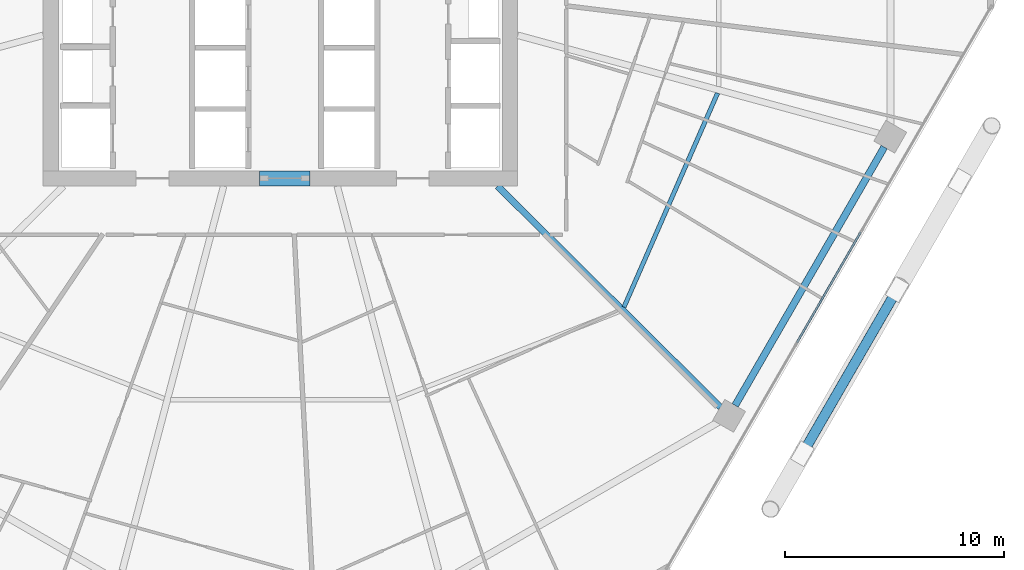
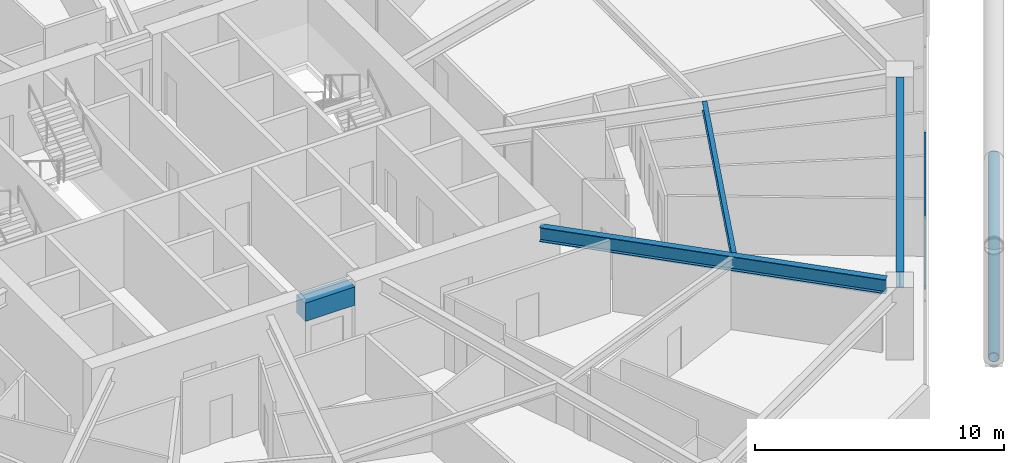
# One storey, part 10 of 35: 4 beams, 3 members, 1 element without a shape of its own.
"""IFC4 building model written with IfcOpenShell, lengths in metres."""

from ifc_helpers import new_model, si_unit, direction, frame, origin, origin_2d, place, context, subcontext, project, spatial, rectangle, hollow_rectangle, hollow_circle, i_section, extrude, material, material_profile, profile_set, type_object, element, aggregate, save


model = new_model("IFC4")

# Units and contexts
model_context = context("Model", 3, precision=1e-05, world=origin(), true_north=direction((0.0, 1.0)))
body_context = subcontext(model_context, "Body", "Model", "MODEL_VIEW")
ifc_project = project(units=[si_unit("LENGTHUNIT", "METRE"), si_unit("AREAUNIT", "SQUARE_METRE"), si_unit("VOLUMEUNIT", "CUBIC_METRE"), si_unit("PLANEANGLEUNIT", "RADIAN"), si_unit("MASSUNIT", "GRAM", prefix="KILO")], contexts=[model_context])

# Site, building, storey
site_placement = place(None, origin())
site = spatial("IfcSite", under=ifc_project, at=site_placement, CompositionType="ELEMENT")
building_placement = place(site_placement, origin())
building = spatial("IfcBuilding", under=site, at=building_placement, Name="Zuhravey Tower", CompositionType="ELEMENT")
storey_placement = place(building_placement, frame((0.0, 0.0, 115.199951171875)))
storey = spatial("IfcBuildingStorey", under=building, at=storey_placement, Name="L28", CompositionType="ELEMENT", Elevation=115.199951171875)

# Beam
ifc_material_1 = material(Name="Concrete C60/75", Category="concrete")
ifc_material_profile_1 = material_profile(ifc_material_1, rectangle(XDim=0.699951171875, YDim=0.89990234375, at=origin_2d()), Name="RC-700x900")
ifc_profile_set_1 = profile_set([ifc_material_profile_1], Name="Concrete C60/75")
beam_type_1 = type_object("IfcBeamType", Name="Core Coupling Beam RC700x900", PredefinedType="LINTEL", material=ifc_profile_set_1)
beam_1_placement = place(storey_placement, frame((35.052001953125, 22.5, 3.10009765625), z_axis=(1.0, 0.0, 0.0), x_axis=(0.0, 1.0, 0.0)))
element("IfcBeam", 1, at=beam_1_placement, inside=storey, type_object=beam_type_1, Name="L28 CB1 BM-L28-CB-S", PredefinedType="LINTEL", context=body_context, shape_type="SweptSolid", body=[
    extrude(rectangle(XDim=0.699951171875, YDim=0.89990234375, at=origin_2d()), origin(), (0.0, 0.0, 1.0), 2.2958984375),
])

# Curtain wall, members
ifc_material_2 = material(Name="Thermally broken anodised aluminium", Category="aluminium")
curtain_wall_type = type_object("IfcCurtainWallType", Name="Zone 1-2 Residential Curtain Wall CW3", PredefinedType="NOTDEFINED", material=ifc_material_2)
curtain_wall_placement = place(storey_placement, origin())
curtain_wall = element("IfcCurtainWall", 2, at=curtain_wall_placement, inside=storey, type_object=curtain_wall_type, Name="L28 CW3 CW-L28-F6-1", PredefinedType="NOTDEFINED")
ifc_material_3 = material(Name="Anodised aluminium", Category="aluminium")
ifc_material_profile_2 = material_profile(ifc_material_3, hollow_rectangle(XDim=0.090087890625, YDim=0.14990234375, WallThickness=0.0048828125, at=origin_2d()), Name="ALU-RHS-90x150x5")
ifc_profile_set_2 = profile_set([ifc_material_profile_2], Name="Anodised aluminium")
member_type_1 = type_object("IfcMemberType", Name="Curtain-Wall Transom 90x150", PredefinedType="USERDEFINED", material=ifc_profile_set_2)
member_1_placement = place(storey_placement, frame((62.5361328125, 20.045166015625, 0.045166015625), z_axis=(-0.499981042766, -0.866036348472, 0.0), x_axis=(0.866036348472, -0.499981042766, 0.0)))
member_1 = element("IfcMember", 3, at=member_1_placement, type_object=member_type_1, Name="CW3 transom 3.1", ObjectType="TRANSOM", PredefinedType="USERDEFINED", context=body_context, shape_type="SweptSolid", body=[
    extrude(hollow_rectangle(XDim=0.090087890625, YDim=0.14990234375, WallThickness=0.0048828125, at=origin_2d()), origin(), (0.0, 0.0, 1.0), 5.829833984375),
])
member_2_placement = place(storey_placement, frame((62.5361328125, 20.045166015625, 3.505126953125), z_axis=(-0.499981042766, -0.866036348472, 0.0), x_axis=(0.866036348472, -0.499981042766, 0.0)))
member_2 = element("IfcMember", 4, at=member_2_placement, type_object=member_type_1, Name="CW3 transom 3.2", ObjectType="TRANSOM", PredefinedType="USERDEFINED", context=body_context, shape_type="SweptSolid", body=[
    extrude(hollow_rectangle(XDim=0.090087890625, YDim=0.14990234375, WallThickness=0.0048828125, at=origin_2d()), origin(), (0.0, 0.0, 1.0), 5.829833984375),
])
aggregate(curtain_wall, [member_1, member_2])

# Member
ifc_material_4 = material(Name="Steel SM355", Category="steel")
ifc_material_profile_3 = material_profile(ifc_material_4, hollow_circle(Radius=0.228515625, WallThickness=0.02197265625, at=origin_2d()), Name="CHS-457.2x22")
ifc_profile_set_3 = profile_set([ifc_material_profile_3], Name="Steel SM355")
member_type_2 = type_object("IfcMemberType", Name="Exoskeleton Ring Tie CHS457x22", PredefinedType="CHORD", material=ifc_profile_set_3)
member_3_placement = place(storey_placement, frame((59.942138671875, 10.031982421875, -0.4638671875), z_axis=(0.499995593262, 0.866027948001, 0.0), x_axis=(-0.866027948001, 0.499995593262, 0.0)))
element("IfcMember", 5, at=member_3_placement, inside=storey, type_object=member_type_2, Name="L28 Exoskeleton Face 6 Tie EXR1", PredefinedType="CHORD", context=body_context, shape_type="SweptSolid", body=[
    extrude(hollow_circle(Radius=0.228515625, WallThickness=0.02197265625, at=origin_2d()), origin(), (0.0, 0.0, 1.0), 14.107666015625),
])

# Beams
ifc_material_profile_4 = material_profile(ifc_material_4, i_section(OverallWidth=0.320068359375, OverallDepth=0.75, WebThickness=0.013916015625, FlangeThickness=0.02490234375, at=origin_2d()), Name="H-750x320x14x25")
ifc_profile_set_4 = profile_set([ifc_material_profile_4], Name="Steel SM355")
beam_type_2 = type_object("IfcBeamType", Name="Perimeter Ring Beam H750x320", PredefinedType="BEAM", material=ifc_profile_set_4)
beam_2_placement = place(storey_placement, frame((56.79541015625, 12.1220703125, 3.175048828125), z_axis=(0.500008177929, 0.866020682204, 0.0), x_axis=(-0.866020682204, 0.500008177929, 0.0)))
element("IfcBeam", 6, at=beam_2_placement, inside=storey, type_object=beam_type_2, Name="L28 PB1 BM-L28-PB-11", PredefinedType="BEAM", context=body_context, shape_type="SweptSolid", body=[
    extrude(i_section(OverallWidth=0.320068359375, OverallDepth=0.75, WebThickness=0.013916015625, FlangeThickness=0.02490234375, at=origin_2d()), origin(), (0.0, 0.0, 1.0), 13.634033203125),
])
ifc_material_profile_5 = material_profile(ifc_material_4, i_section(OverallWidth=0.300048828125, OverallDepth=0.699951171875, WebThickness=0.012939453125, FlangeThickness=0.02392578125, at=origin_2d()), Name="H-700x300x13x24")
ifc_profile_set_5 = profile_set([ifc_material_profile_5], Name="Steel SM355")
beam_type_3 = type_object("IfcBeamType", Name="Radial Primary Girder H700x300", PredefinedType="BEAM", material=ifc_profile_set_5)
beam_3_placement = place(storey_placement, frame((45.931396484375, 22.14697265625, 3.199951171875), z_axis=(0.709906230344, -0.704296204816, 0.0), x_axis=(0.704296204816, 0.709906230344, 0.0)))
element("IfcBeam", 7, at=beam_3_placement, inside=storey, type_object=beam_type_3, Name="L28 RG1 BM-L28-RAD-11", PredefinedType="BEAM", context=body_context, shape_type="SweptSolid", body=[
    extrude(i_section(OverallWidth=0.300048828125, OverallDepth=0.699951171875, WebThickness=0.012939453125, FlangeThickness=0.02392578125, at=origin_2d()), origin(), (0.0, 0.0, 1.0), 14.361083984375),
])
ifc_material_profile_6 = material_profile(ifc_material_4, i_section(OverallWidth=0.199951171875, OverallDepth=0.449951171875, WebThickness=0.009033203125, FlangeThickness=0.013916015625, at=origin_2d()), Name="H-450x200x9x14")
ifc_profile_set_6 = profile_set([ifc_material_profile_6], Name="Steel SM355")
beam_type_4 = type_object("IfcBeamType", Name="Secondary Floor Joist H450x200", PredefinedType="JOIST", material=ifc_profile_set_6)
beam_4_placement = place(storey_placement, frame((51.71044921875, 16.615966796875, 3.324951171875), z_axis=(0.400786454617, 0.916171500209, 0.0), x_axis=(-0.916171500209, 0.400786454617, 0.0)))
element("IfcBeam", 8, at=beam_4_placement, inside=storey, type_object=beam_type_4, Name="L28 SJ1 BM-L28-SJ-11-1", PredefinedType="JOIST", context=body_context, shape_type="SweptSolid", body=[
    extrude(i_section(OverallWidth=0.199951171875, OverallDepth=0.449951171875, WebThickness=0.009033203125, FlangeThickness=0.013916015625, at=origin_2d()), origin(), (0.0, 0.0, 1.0), 10.6796875),
])

save(model, "model.ifc")
